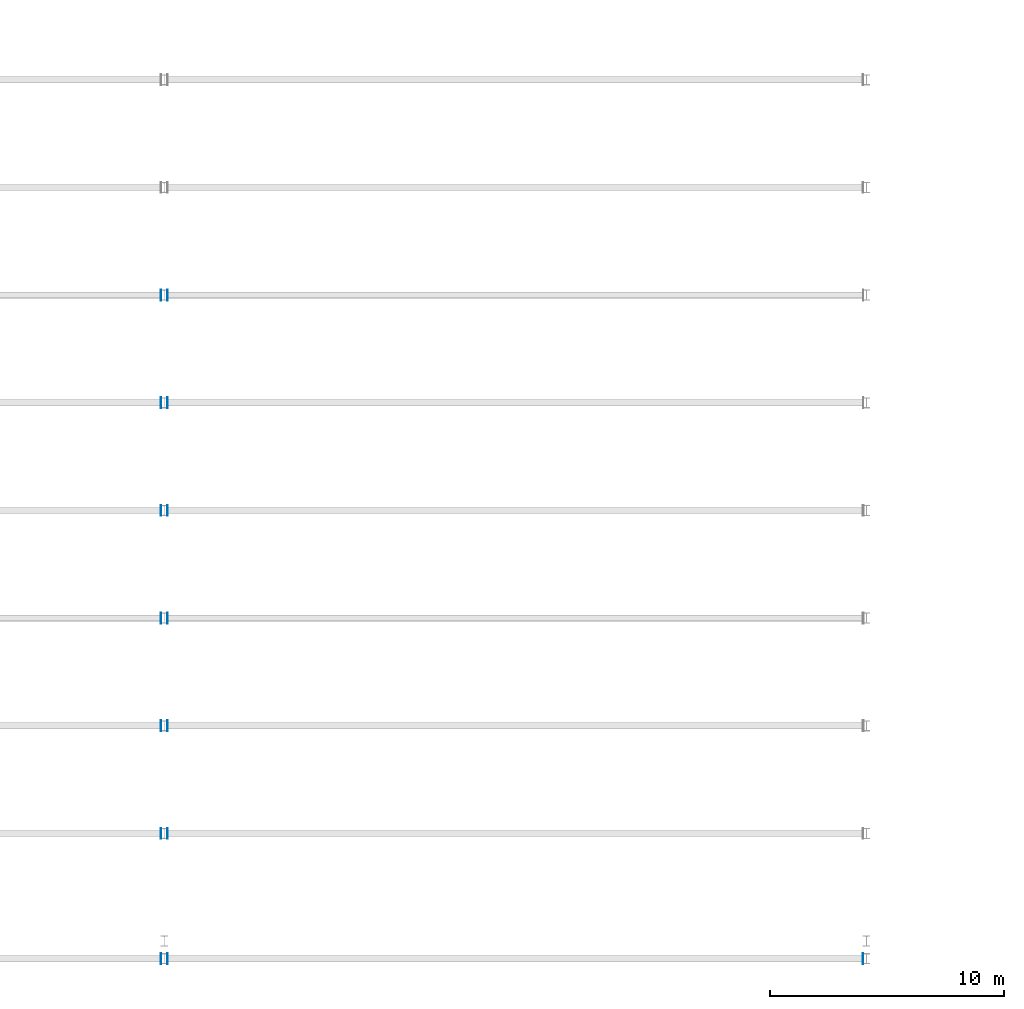
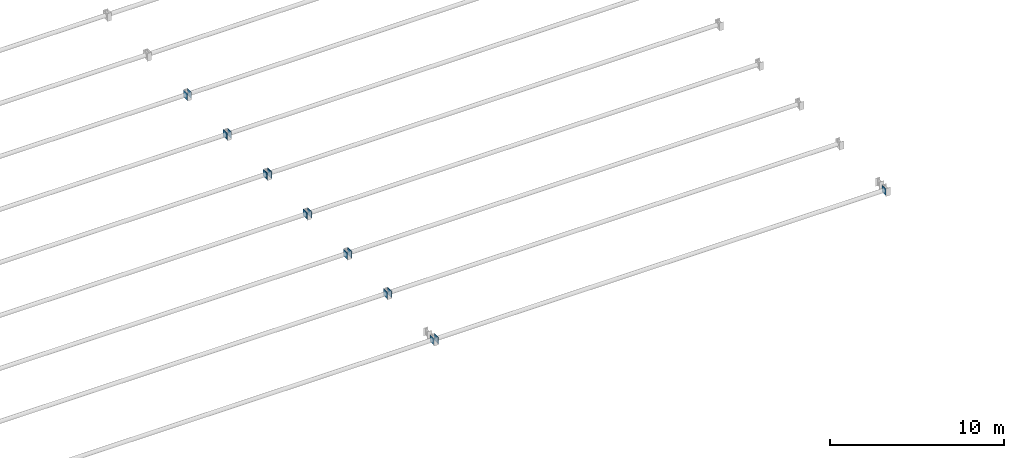
# One storey, part 27 of 38: 15 plates.
"""IFC4 building model written with IfcOpenShell, lengths in metres."""

from ifc_helpers import new_model, si_unit, direction, frame, origin, origin_2d, place, context, subcontext, project, spatial, rectangle, extrude, material, layer, layer_set, type_object, element, save


model = new_model("IFC4")

# Units and contexts
model_context = context("Model", 3, precision=1e-05, world=origin(), true_north=direction((0.0, 1.0)))
body_context = subcontext(model_context, "Body", "Model", "MODEL_VIEW")
ifc_project = project(units=[si_unit("LENGTHUNIT", "METRE"), si_unit("AREAUNIT", "SQUARE_METRE"), si_unit("VOLUMEUNIT", "CUBIC_METRE"), si_unit("PLANEANGLEUNIT", "RADIAN"), si_unit("MASSUNIT", "GRAM", prefix="KILO")], contexts=[model_context])

# Site, building, storey
site_placement = place(None, origin())
site = spatial("IfcSite", under=ifc_project, at=site_placement, CompositionType="ELEMENT")
building_placement = place(site_placement, origin())
building = spatial("IfcBuilding", under=site, at=building_placement, Name="Muzn Square Opera House", CompositionType="ELEMENT")
storey_placement = place(building_placement, frame((0.0, 0.0, 18.0)))
storey = spatial("IfcBuildingStorey", under=building, at=storey_placement, Name="L04", CompositionType="ELEMENT", Elevation=18.0)

# Plates
ifc_material = material(Name="Steel S355", Category="steel")
ifc_layer_1 = layer(ifc_material, 0.013916015625, Name="Steel S355", Category="steel")
ifc_layer_set_1 = layer_set([ifc_layer_1], Name="Steel S355")
plate_type_1 = type_object("IfcPlateType", Name="Gusset Plate 14mm 460x460", PredefinedType="USERDEFINED", material=ifc_layer_set_1)
for number, where, z_axis, x_axis, name in (
    (1, (102.860107421875, 49.60009765625, 0.070068359375), (0.0, 0.0, 1.0), (1.0, 0.0, 0.0), "Vault Tie End Gusset Plate V2-06-E"),
    (2, (103.139892578125, 45.0, 0.070068359375), (0.0, 0.0, 1.0), (1.0, 0.0, 0.0), "Vault Tie End Gusset Plate V3-05-W"),
):
    element("IfcPlate", number, at=place(storey_placement, frame(where, z_axis=z_axis, x_axis=x_axis)), inside=storey, type_object=plate_type_1, Name=name, ObjectType="GUSSET PLATE", PredefinedType="USERDEFINED", context=body_context, shape_type="SweptSolid", body=[
        extrude(rectangle(XDim=0.013916015625, YDim=0.4599609375, at=origin_2d()), origin(), (0.0, 0.0, 1.0), 0.4599609375),
    ])
ifc_layer_2 = layer(ifc_material, 0.01611328125, Name="Steel S355", Category="steel")
ifc_layer_set_2 = layer_set([ifc_layer_2], Name="Steel S355")
plate_type_2 = type_object("IfcPlateType", Name="Gusset Plate 16mm 460x460", PredefinedType="USERDEFINED", material=ifc_layer_set_2)
plate_1_placement = place(storey_placement, frame((103.139892578125, 49.60009765625, 0.070068359375), z_axis=(0.0, 0.0, 1.0), x_axis=(1.0, 0.0, 0.0)))
element("IfcPlate", 3, at=plate_1_placement, inside=storey, type_object=plate_type_2, Name="Vault Tie End Gusset Plate V3-06-W", ObjectType="GUSSET PLATE", PredefinedType="USERDEFINED", context=body_context, shape_type="SweptSolid", body=[
    extrude(rectangle(XDim=0.01611328125, YDim=0.4599609375, at=origin_2d()), origin(), (0.0, 0.0, 1.0), 0.4599609375),
])
ifc_layer_3 = layer(ifc_material, 0.01806640625, Name="Steel S355", Category="steel")
ifc_layer_set_3 = layer_set([ifc_layer_3], Name="Steel S355")
plate_type_3 = type_object("IfcPlateType", Name="Gusset Plate 18mm 460x460", PredefinedType="USERDEFINED", material=ifc_layer_set_3)
plate_2_placement = place(storey_placement, frame((102.860107421875, 21.25, 0.070068359375), z_axis=(0.0, 0.0, 1.0), x_axis=(1.0, 0.0, 0.0)))
element("IfcPlate", 4, at=plate_2_placement, inside=storey, type_object=plate_type_3, Name="Vault Tie End Gusset Plate V2-00-E", ObjectType="GUSSET PLATE", PredefinedType="USERDEFINED", context=body_context, shape_type="SweptSolid", body=[
    extrude(rectangle(XDim=0.01806640625, YDim=0.4599609375, at=origin_2d()), origin(), (0.0, 0.0, 1.0), 0.4599609375),
])
ifc_layer_4 = layer(ifc_material, 0.02001953125, Name="Steel S355", Category="steel")
ifc_layer_set_4 = layer_set([ifc_layer_4], Name="Steel S355")
plate_type_4 = type_object("IfcPlateType", Name="Gusset Plate 20mm 460x460", PredefinedType="USERDEFINED", material=ifc_layer_set_4)
for number, where, z_axis, x_axis, name in (
    (5, (102.860107421875, 26.60009765625, 0.070068359375), (0.0, 0.0, 1.0), (1.0, 0.0, 0.0), "Vault Tie End Gusset Plate V2-01-E"),
    (6, (103.139892578125, 21.25, 0.070068359375), (0.0, 0.0, 1.0), (1.0, 0.0, 0.0), "Vault Tie End Gusset Plate V3-00-W"),
    (7, (132.860107421875, 21.25, 0.070068359375), (0.0, 0.0, 1.0), (1.0, 0.0, 0.0), "Vault Tie End Gusset Plate V3-00-E"),
):
    element("IfcPlate", number, at=place(storey_placement, frame(where, z_axis=z_axis, x_axis=x_axis)), inside=storey, type_object=plate_type_4, Name=name, ObjectType="GUSSET PLATE", PredefinedType="USERDEFINED", context=body_context, shape_type="SweptSolid", body=[
        extrude(rectangle(XDim=0.02001953125, YDim=0.4599609375, at=origin_2d()), origin(), (0.0, 0.0, 1.0), 0.4599609375),
    ])
ifc_layer_5 = layer(ifc_material, 0.02392578125, Name="Steel S355", Category="steel")
ifc_layer_set_5 = layer_set([ifc_layer_5], Name="Steel S355")
plate_type_5 = type_object("IfcPlateType", Name="Gusset Plate 24mm 460x460", PredefinedType="USERDEFINED", material=ifc_layer_set_5)
for number, where, z_axis, x_axis, name in (
    (8, (102.860107421875, 31.199951171875, 0.070068359375), (0.0, 0.0, 1.0), (1.0, 0.0, 0.0), "Vault Tie End Gusset Plate V2-02-E"),
    (9, (103.139892578125, 26.60009765625, 0.070068359375), (0.0, 0.0, 1.0), (1.0, 0.0, 0.0), "Vault Tie End Gusset Plate V3-01-W"),
):
    element("IfcPlate", number, at=place(storey_placement, frame(where, z_axis=z_axis, x_axis=x_axis)), inside=storey, type_object=plate_type_5, Name=name, ObjectType="GUSSET PLATE", PredefinedType="USERDEFINED", context=body_context, shape_type="SweptSolid", body=[
        extrude(rectangle(XDim=0.02392578125, YDim=0.4599609375, at=origin_2d()), origin(), (0.0, 0.0, 1.0), 0.4599609375),
    ])
ifc_layer_6 = layer(ifc_material, 0.028076171875, Name="Steel S355", Category="steel")
ifc_layer_set_6 = layer_set([ifc_layer_6], Name="Steel S355")
plate_type_6 = type_object("IfcPlateType", Name="Gusset Plate 28mm 460x460", PredefinedType="USERDEFINED", material=ifc_layer_set_6)
for number, where, z_axis, x_axis, name in (
    (10, (102.860107421875, 35.800048828125, 0.070068359375), (0.0, 0.0, 1.0), (1.0, 0.0, 0.0), "Vault Tie End Gusset Plate V2-03-E"),
    (11, (103.139892578125, 31.199951171875, 0.070068359375), (0.0, 0.0, 1.0), (1.0, 0.0, 0.0), "Vault Tie End Gusset Plate V3-02-W"),
):
    element("IfcPlate", number, at=place(storey_placement, frame(where, z_axis=z_axis, x_axis=x_axis)), inside=storey, type_object=plate_type_6, Name=name, ObjectType="GUSSET PLATE", PredefinedType="USERDEFINED", context=body_context, shape_type="SweptSolid", body=[
        extrude(rectangle(XDim=0.028076171875, YDim=0.4599609375, at=origin_2d()), origin(), (0.0, 0.0, 1.0), 0.4599609375),
    ])
ifc_layer_7 = layer(ifc_material, 0.031982421875, Name="Steel S355", Category="steel")
ifc_layer_set_7 = layer_set([ifc_layer_7], Name="Steel S355")
plate_type_7 = type_object("IfcPlateType", Name="Gusset Plate 32mm 460x460", PredefinedType="USERDEFINED", material=ifc_layer_set_7)
for number, where, z_axis, x_axis, name in (
    (12, (102.860107421875, 40.39990234375, 0.070068359375), (0.0, 0.0, 1.0), (1.0, 0.0, 0.0), "Vault Tie End Gusset Plate V2-04-E"),
    (13, (103.139892578125, 35.800048828125, 0.070068359375), (0.0, 0.0, 1.0), (1.0, 0.0, 0.0), "Vault Tie End Gusset Plate V3-03-W"),
):
    element("IfcPlate", number, at=place(storey_placement, frame(where, z_axis=z_axis, x_axis=x_axis)), inside=storey, type_object=plate_type_7, Name=name, ObjectType="GUSSET PLATE", PredefinedType="USERDEFINED", context=body_context, shape_type="SweptSolid", body=[
        extrude(rectangle(XDim=0.031982421875, YDim=0.4599609375, at=origin_2d()), origin(), (0.0, 0.0, 1.0), 0.4599609375),
    ])
ifc_layer_8 = layer(ifc_material, 0.035888671875, Name="Steel S355", Category="steel")
ifc_layer_set_8 = layer_set([ifc_layer_8], Name="Steel S355")
plate_type_8 = type_object("IfcPlateType", Name="Gusset Plate 36mm 460x460", PredefinedType="USERDEFINED", material=ifc_layer_set_8)
for number, where, z_axis, x_axis, name in (
    (14, (102.860107421875, 45.0, 0.070068359375), (0.0, 0.0, 1.0), (1.0, 0.0, 0.0), "Vault Tie End Gusset Plate V2-05-E"),
    (15, (103.139892578125, 40.39990234375, 0.070068359375), (0.0, 0.0, 1.0), (1.0, 0.0, 0.0), "Vault Tie End Gusset Plate V3-04-W"),
):
    element("IfcPlate", number, at=place(storey_placement, frame(where, z_axis=z_axis, x_axis=x_axis)), inside=storey, type_object=plate_type_8, Name=name, ObjectType="GUSSET PLATE", PredefinedType="USERDEFINED", context=body_context, shape_type="SweptSolid", body=[
        extrude(rectangle(XDim=0.035888671875, YDim=0.4599609375, at=origin_2d()), origin(), (0.0, 0.0, 1.0), 0.4599609375),
    ])

save(model, "model.ifc")
